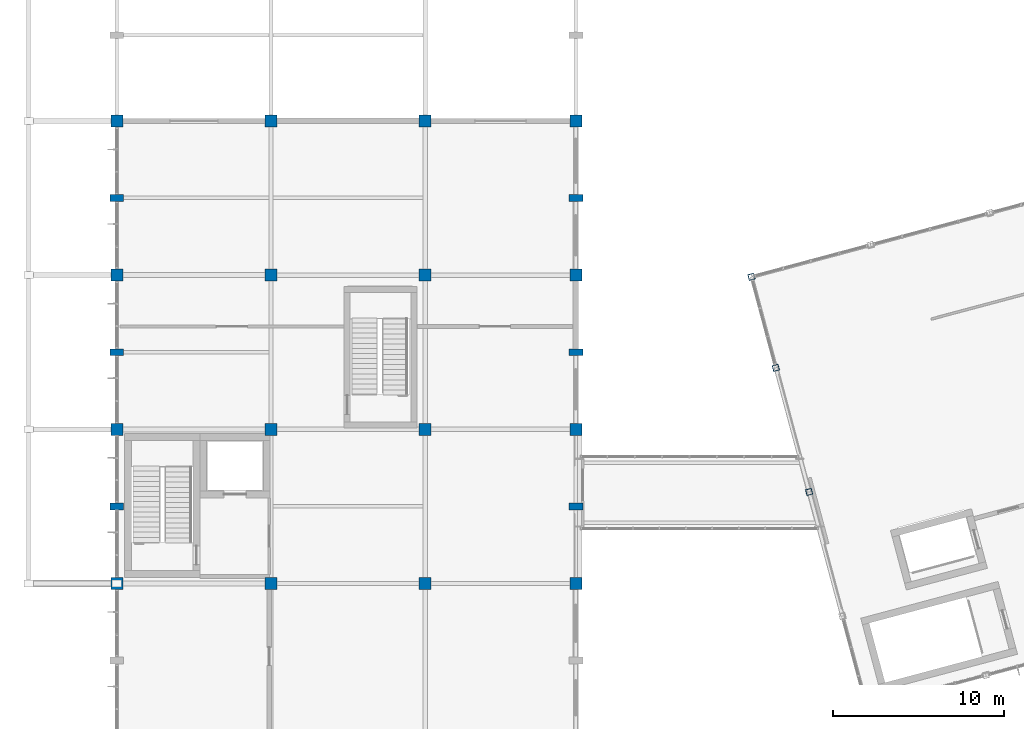
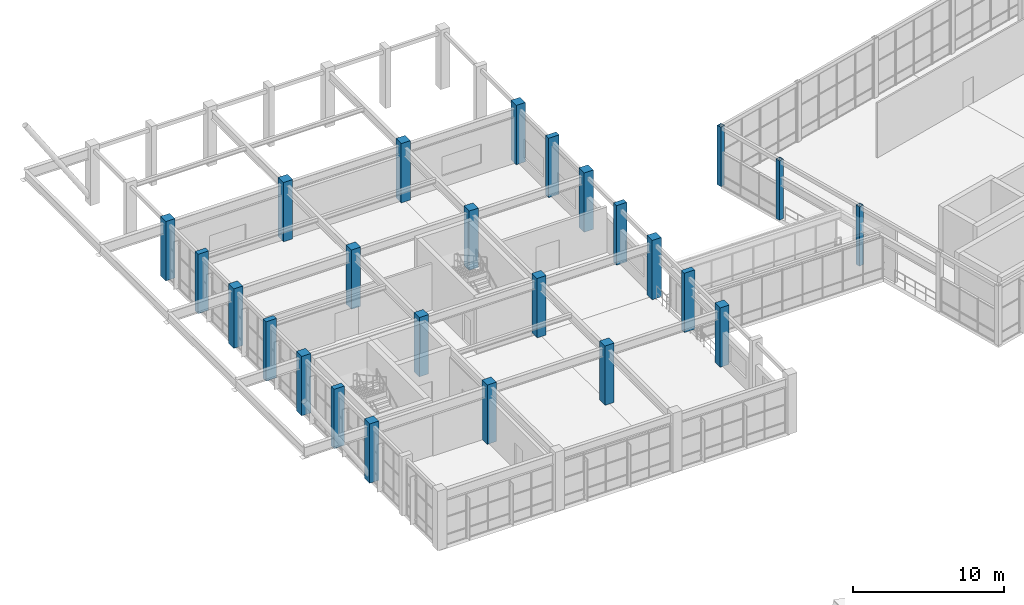
# One storey, part 3 of 99: 25 columns.
"""IFC4 building model written with IfcOpenShell, lengths in metres."""

from ifc_helpers import new_model, si_unit, direction, frame, origin, origin_2d, place, context, subcontext, project, spatial, rectangle, hollow_rectangle, extrude, material, material_profile, profile_set, type_object, element, save


model = new_model("IFC4")

# Units and contexts
model_context = context("Model", 3, precision=1e-05, world=origin(), true_north=direction((0.0, 1.0)))
body_context = subcontext(model_context, "Body", "Model", "MODEL_VIEW")
ifc_project = project(units=[si_unit("LENGTHUNIT", "METRE"), si_unit("AREAUNIT", "SQUARE_METRE"), si_unit("VOLUMEUNIT", "CUBIC_METRE"), si_unit("PLANEANGLEUNIT", "RADIAN"), si_unit("MASSUNIT", "GRAM", prefix="KILO")], contexts=[model_context])

# Site, building, storey
site_placement = place(None, origin())
site = spatial("IfcSite", under=ifc_project, at=site_placement, CompositionType="ELEMENT")
building_placement = place(site_placement, origin())
building = spatial("IfcBuilding", under=site, at=building_placement, Name="Ventoquebrada Cableway Terminal", CompositionType="ELEMENT")
storey_placement = place(building_placement, frame((0.0, 0.0, 9.60009765625)))
storey = spatial("IfcBuildingStorey", under=building, at=storey_placement, Name="L02", CompositionType="ELEMENT", Elevation=9.60009765625)

# Columns
ifc_material_1 = material(Name="Concrete C40/50", Category="concrete")
ifc_material_profile_1 = material_profile(ifc_material_1, rectangle(XDim=0.699951171875, YDim=0.699951171875, at=origin_2d()), Name="RC-COL-700X700")
ifc_profile_set_1 = profile_set([ifc_material_profile_1], Name="Concrete C40/50")
column_type_1 = type_object("IfcColumnType", Name="COL-RC04", PredefinedType="COLUMN", material=ifc_profile_set_1)
for number, where, z_axis, x_axis, name in (
    (1, (8.199951171875, 77.0, 0.0), (0.0, 0.0, 1.0), (1.0, 0.0, 0.0), "Structural column FC-0184"),
    (2, (8.199951171875, 86.0, 0.0), (0.0, 0.0, 1.0), (1.0, 0.0, 0.0), "Structural column FC-0191"),
    (3, (8.199951171875, 95.0, 0.0), (0.0, 0.0, 1.0), (1.0, 0.0, 0.0), "Structural column FC-0198"),
    (4, (8.199951171875, 104.0, 0.0), (0.0, 0.0, 1.0), (1.0, 0.0, 0.0), "Structural column FC-0205"),
    (5, (17.199951171875, 77.0, 0.0), (0.0, 0.0, 1.0), (1.0, 0.0, 0.0), "Structural column FC-0224"),
    (6, (17.199951171875, 86.0, 0.0), (0.0, 0.0, 1.0), (1.0, 0.0, 0.0), "Structural column FC-0231"),
    (7, (17.199951171875, 95.0, 0.0), (0.0, 0.0, 1.0), (1.0, 0.0, 0.0), "Structural column FC-0238"),
    (8, (17.199951171875, 104.0, 0.0), (0.0, 0.0, 1.0), (1.0, 0.0, 0.0), "Structural column FC-0245"),
    (9, (26.199951171875, 77.0, 0.0), (0.0, 0.0, 1.0), (1.0, 0.0, 0.0), "Structural column FC-0264"),
    (10, (26.199951171875, 86.0, 0.0), (0.0, 0.0, 1.0), (1.0, 0.0, 0.0), "Structural column FC-0271"),
    (11, (26.199951171875, 95.0, 0.0), (0.0, 0.0, 1.0), (1.0, 0.0, 0.0), "Structural column FC-0278"),
    (12, (26.199951171875, 104.0, 0.0), (0.0, 0.0, 1.0), (1.0, 0.0, 0.0), "Structural column FC-0285"),
    (13, (35.0, 77.0, 0.0), (0.0, 0.0, 1.0), (1.0, 0.0, 0.0), "Structural column FC-0304"),
    (14, (35.0, 86.0, 0.0), (0.0, 0.0, 1.0), (1.0, 0.0, 0.0), "Structural column FC-0309"),
    (15, (35.0, 95.0, 0.0), (0.0, 0.0, 1.0), (1.0, 0.0, 0.0), "Structural column FC-0314"),
    (16, (35.0, 104.0, 0.0), (0.0, 0.0, 1.0), (1.0, 0.0, 0.0), "Structural column FC-0319"),
):
    element("IfcColumn", number, at=place(storey_placement, frame(where, z_axis=z_axis, x_axis=x_axis)), inside=storey, type_object=column_type_1, Name=name, PredefinedType="COLUMN", context=body_context, shape_type="SweptSolid", body=[
        extrude(rectangle(XDim=0.699951171875, YDim=0.699951171875, at=origin_2d()), origin(), (0.0, 0.0, 1.0), 4.7998046875),
    ])
ifc_material_2 = material(Name="Steel ASTM A500 Grade C", Category="steel")
ifc_material_profile_2 = material_profile(ifc_material_2, hollow_rectangle(XDim=0.35009765625, YDim=0.35009765625, WallThickness=0.01611328125, at=origin_2d()), Name="HSS350X350X16")
ifc_profile_set_2 = profile_set([ifc_material_profile_2], Name="Steel ASTM A500 Grade C")
column_type_2 = type_object("IfcColumnType", Name="COL-ST05", PredefinedType="COLUMN", material=ifc_profile_set_2)
for number, where, z_axis, x_axis, name in (
    (17, (48.613037109375, 82.341064453125, 0.0), (0.0, 0.0, 1.0), (0.965925826289, 0.258819045103, 0.0), "Structural column FC-0665"),
    (18, (46.672119140625, 89.5859375, 0.0), (0.0, 0.0, 1.0), (0.965925826289, 0.258819045103, 0.0), "Structural column FC-0670"),
    (19, (45.2490234375, 94.89794921875, 0.0), (0.0, 0.0, 1.0), (0.965925826289, 0.258819045103, 0.0), "Structural column FC-0675"),
):
    element("IfcColumn", number, at=place(storey_placement, frame(where, z_axis=z_axis, x_axis=x_axis)), inside=storey, type_object=column_type_2, Name=name, PredefinedType="COLUMN", context=body_context, shape_type="SweptSolid", body=[
        extrude(hollow_rectangle(XDim=0.35009765625, YDim=0.35009765625, WallThickness=0.01611328125, at=origin_2d()), origin(), (0.0, 0.0, 1.0), 4.7998046875),
    ])
ifc_material_profile_3 = material_profile(ifc_material_1, rectangle(XDim=0.39990234375, YDim=0.800048828125, at=origin_2d()), Name="RC-PIL-400X800")
ifc_profile_set_3 = profile_set([ifc_material_profile_3], Name="Concrete C40/50")
column_type_3 = type_object("IfcColumnType", Name="PIL-RC01", PredefinedType="PILASTER", material=ifc_profile_set_3)
for number, where, z_axis, x_axis, name in (
    (20, (8.199951171875, 81.5, 0.0), (0.0, 0.0, 1.0), (0.0, 1.0, 0.0), "Facade pilaster FPL-0357"),
    (21, (8.199951171875, 90.5, 0.0), (0.0, 0.0, 1.0), (0.0, 1.0, 0.0), "Facade pilaster FPL-0364"),
    (22, (8.199951171875, 99.5, 0.0), (0.0, 0.0, 1.0), (0.0, 1.0, 0.0), "Facade pilaster FPL-0371"),
    (23, (35.0, 81.5, 0.0), (0.0, 0.0, 1.0), (0.0, 1.0, 0.0), "Facade pilaster FPL-0387"),
    (24, (35.0, 90.5, 0.0), (0.0, 0.0, 1.0), (0.0, 1.0, 0.0), "Facade pilaster FPL-0392"),
    (25, (35.0, 99.5, 0.0), (0.0, 0.0, 1.0), (0.0, 1.0, 0.0), "Facade pilaster FPL-0397"),
):
    element("IfcColumn", number, at=place(storey_placement, frame(where, z_axis=z_axis, x_axis=x_axis)), inside=storey, type_object=column_type_3, Name=name, PredefinedType="PILASTER", context=body_context, shape_type="SweptSolid", body=[
        extrude(rectangle(XDim=0.39990234375, YDim=0.800048828125, at=origin_2d()), origin(), (0.0, 0.0, 1.0), 4.7998046875),
    ])

save(model, "model.ifc")
